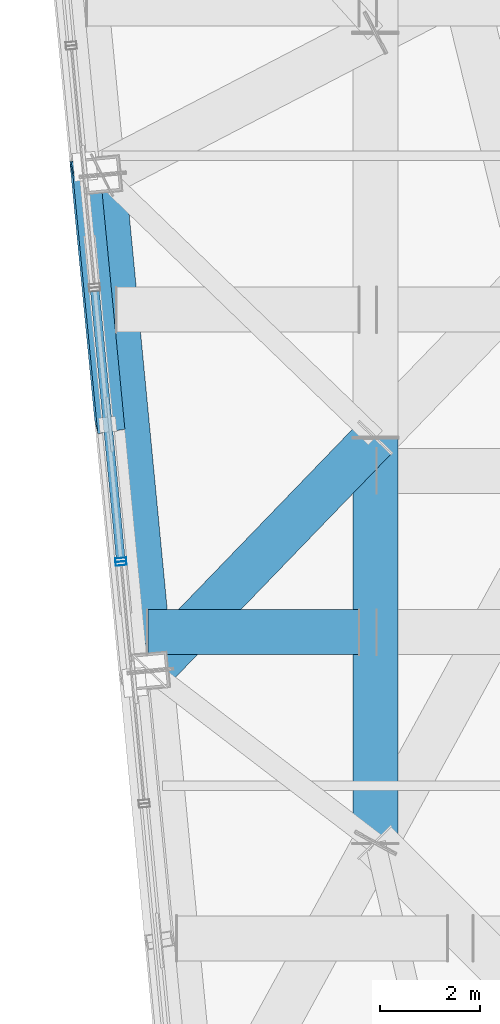
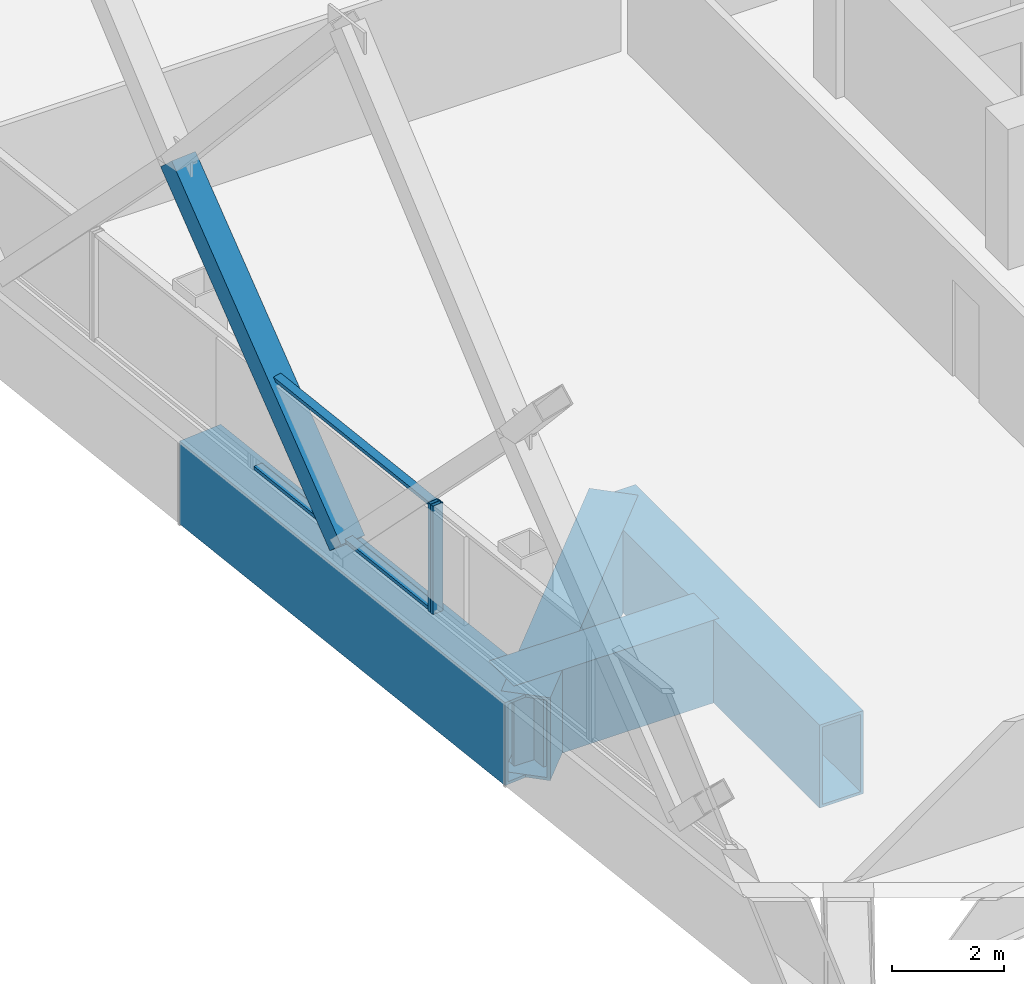
# One storey, part 9 of 37: 5 members, 4 beams, 2 elements without a shape of their own.
"""IFC4 building model written with IfcOpenShell, lengths in metres."""

from ifc_helpers import new_model, si_unit, direction, frame, origin, origin_2d, place, context, subcontext, project, spatial, hollow_rectangle, extrude, material, layer, layer_set, material_profile, profile_set, type_object, element, aggregate, save


model = new_model("IFC4")

# Units and contexts
model_context = context("Model", 3, precision=1e-05, world=origin(), true_north=direction((0.0, 1.0)))
body_context = subcontext(model_context, "Body", "Model", "MODEL_VIEW")
ifc_project = project(units=[si_unit("LENGTHUNIT", "METRE"), si_unit("AREAUNIT", "SQUARE_METRE"), si_unit("VOLUMEUNIT", "CUBIC_METRE"), si_unit("PLANEANGLEUNIT", "RADIAN"), si_unit("MASSUNIT", "GRAM", prefix="KILO")], contexts=[model_context])

# Site, building, storey
site_placement = place(None, origin())
site = spatial("IfcSite", under=ifc_project, at=site_placement, CompositionType="ELEMENT")
building_placement = place(site_placement, origin())
building = spatial("IfcBuilding", under=site, at=building_placement, Name="Qhalaya Broadcast Tower", CompositionType="ELEMENT")
storey_placement = place(building_placement, frame((0.0, 0.0, 156.14990234375)))
storey = spatial("IfcBuildingStorey", under=building, at=storey_placement, Name="L45", CompositionType="ELEMENT", Elevation=156.14990234375)

# Beams
ifc_material_1 = material(Name="Structural Steel ASTM A572 Grade 50", Category="steel")
ifc_material_profile_1 = material_profile(ifc_material_1, hollow_rectangle(XDim=0.89990234375, YDim=1.800048828125, WallThickness=0.06005859375, at=origin_2d()), Name="BOX 900x1800x60")
ifc_profile_set_1 = profile_set([ifc_material_profile_1], Name="Structural Steel ASTM A572 Grade 50")
beam_type = type_object("IfcBeamType", Name="Block Cantilever Transfer Box Girder TG1", PredefinedType="USERDEFINED", material=ifc_profile_set_1)
beam_1_placement = place(storey_placement, frame((-24.572509765625, 6.521240234375, -1.119873046875), z_axis=(0.095850563819, -0.99539573508, 0.0), x_axis=(0.99539573508, 0.095850563819, 0.0)))
element("IfcBeam", 1, at=beam_1_placement, inside=storey, type_object=beam_type, Name="L45 TG1 L45-SPR-14", ObjectType="GIRDER", PredefinedType="USERDEFINED", context=body_context, shape_type="SweptSolid", body=[
    extrude(hollow_rectangle(XDim=0.89990234375, YDim=1.800048828125, WallThickness=0.06005859375, at=origin_2d()), origin(), (0.0, 0.0, 1.0), 9.966796875),
])
beam_2_placement = place(storey_placement, frame((-19.1201171875, 1.260009765625, -1.119873046875), z_axis=(0.0, -1.0, 0.0), x_axis=(1.0, 0.0, 0.0)))
element("IfcBeam", 2, at=beam_2_placement, inside=storey, type_object=beam_type, Name="L45 TG1 L45-TGL-15", ObjectType="GIRDER", PredefinedType="USERDEFINED", context=body_context, shape_type="SweptSolid", body=[
    extrude(hollow_rectangle(XDim=0.89990234375, YDim=1.800048828125, WallThickness=0.06005859375, at=origin_2d()), origin(), (0.0, 0.0, 1.0), 8.10009765625),
])
beam_3_placement = place(storey_placement, frame((-19.1201171875, 1.260009765625, -1.119873046875), z_axis=(-0.694441097941, -0.719549554576, 0.0), x_axis=(0.719549554576, -0.694441097941, 0.0)))
element("IfcBeam", 3, at=beam_3_placement, inside=storey, type_object=beam_type, Name="L45 Cantilever Transfer Box Girder 15", ObjectType="GIRDER", PredefinedType="USERDEFINED", context=body_context, shape_type="SweptSolid", body=[
    extrude(hollow_rectangle(XDim=0.89990234375, YDim=1.800048828125, WallThickness=0.06005859375, at=origin_2d()), origin(), (0.0, 0.0, 1.0), 6.475830078125),
])
beam_4_placement = place(storey_placement, frame((-23.671875, -2.625, -1.119873046875), z_axis=(1.0, 0.0, 0.0), x_axis=(0.0, 1.0, 0.0)))
element("IfcBeam", 4, at=beam_4_placement, inside=storey, type_object=beam_type, Name="L45 TG1 L45-PGYW2-OV1", ObjectType="GIRDER", PredefinedType="USERDEFINED", context=body_context, shape_type="SweptSolid", body=[
    extrude(hollow_rectangle(XDim=0.89990234375, YDim=1.800048828125, WallThickness=0.06005859375, at=origin_2d()), origin(), (0.0, 0.0, 1.0), 4.2119140625),
])

# Member
ifc_material_profile_2 = material_profile(ifc_material_1, hollow_rectangle(XDim=0.39990234375, YDim=0.550048828125, WallThickness=0.02490234375, at=origin_2d()), Name="BOX 400x550x25")
ifc_profile_set_2 = profile_set([ifc_material_profile_2], Name="Structural Steel ASTM A572 Grade 50")
member_type_1 = type_object("IfcMemberType", Name="Exoskeleton Diamond Diagonal Mid-High EX3", PredefinedType="BRACE", material=ifc_profile_set_2)
member_1_placement = place(storey_placement, frame((-24.433349609375, 1.5283203125, 0.360107421875), z_axis=(-0.066504325889, 0.690631901239, 0.720142174594), x_axis=(0.164113379892, -0.704339295697, 0.690632286443)))
element("IfcMember", 5, at=member_1_placement, inside=storey, type_object=member_type_1, Name="B4 Exoskeleton Diamond Brace W2-D1", PredefinedType="BRACE", context=body_context, shape_type="SweptSolid", body=[
    extrude(hollow_rectangle(XDim=0.39990234375, YDim=0.550048828125, WallThickness=0.02490234375, at=origin_2d()), origin(), (0.0, 0.0, 1.0), 7.470703125),
])

# Curtain wall, member
ifc_material_2 = material(Name="Fired Architectural Terracotta", Category="masonry")
ifc_layer_1 = layer(ifc_material_2, 0.219970703125, Name="Fired Architectural Terracotta")
ifc_layer_set_1 = layer_set([ifc_layer_1], Name="Fired Architectural Terracotta")
curtain_wall_type_1 = type_object("IfcCurtainWallType", Name="Block-Cap Unitised Terracotta Spandrel Wall CW-07", PredefinedType="NOTDEFINED", material=ifc_layer_set_1)
curtain_wall_1_placement = place(storey_placement, origin())
curtain_wall_1 = element("IfcCurtainWall", 6, at=curtain_wall_1_placement, inside=storey, type_object=curtain_wall_type_1, Name="L45 Unitised Curtain Wall L45-CW-W3", PredefinedType="NOTDEFINED")
ifc_material_3 = material(Name="Anodised Aluminium 6063-T6", Category="aluminium")
ifc_material_profile_3 = material_profile(ifc_material_3, hollow_rectangle(XDim=0.074951171875, YDim=0.219970703125, WallThickness=0.00390625, at=origin_2d()), Name="ALU-MUL 75x220x4")
ifc_profile_set_3 = profile_set([ifc_material_profile_3], Name="Anodised Aluminium 6063-T6")
member_type_2 = type_object("IfcMemberType", Name="Unitised Curtain-Wall Mullion M01", PredefinedType="MULLION", material=ifc_profile_set_3)
member_2_placement = place(storey_placement, frame((-24.212890625, -1.1787109375, 0.47998046875), z_axis=(0.0, 0.0, 1.0), x_axis=(0.095858099514, -0.99539500941, 0.0)))
member_2 = element("IfcMember", 7, at=member_2_placement, type_object=member_type_2, Name="CW-07 mullion 2", PredefinedType="MULLION", context=body_context, shape_type="SweptSolid", body=[
    extrude(hollow_rectangle(XDim=0.074951171875, YDim=0.219970703125, WallThickness=0.00390625, at=origin_2d()), origin(), (0.0, 0.0, 1.0), 2.35009765625),
])

ifc_material_4 = material(Name="Solar-Control Low-E Triple Glazing", Category="glass")
ifc_layer_2 = layer(ifc_material_4, 0.219970703125, Name="Solar-Control Low-E Triple Glazing")
ifc_layer_set_2 = layer_set([ifc_layer_2], Name="Solar-Control Low-E Triple Glazing")
curtain_wall_type_2 = type_object("IfcCurtainWallType", Name="Even-Block 4-Storey Double-Module Curtain Wall CW-03", PredefinedType="NOTDEFINED", material=ifc_layer_set_2)
curtain_wall_2_placement = place(storey_placement, origin())
curtain_wall_2 = element("IfcCurtainWall", 8, at=curtain_wall_2_placement, inside=storey, type_object=curtain_wall_type_2, Name="L45 Unitised Curtain Wall L45-CW-W4", PredefinedType="NOTDEFINED")
member_3_placement = place(storey_placement, frame((-24.205810546875, -1.25341796875, 0.47998046875), z_axis=(0.0, 0.0, 1.0), x_axis=(0.095844898762, -0.995396280574, 0.0)))
member_3 = element("IfcMember", 9, at=member_3_placement, type_object=member_type_2, Name="CW-03 mullion 1", PredefinedType="MULLION", context=body_context, shape_type="SweptSolid", body=[
    extrude(hollow_rectangle(XDim=0.074951171875, YDim=0.219970703125, WallThickness=0.00390625, at=origin_2d()), origin(), (0.0, 0.0, 1.0), 2.35009765625),
])
aggregate(curtain_wall_2, [member_3])

# Member
ifc_material_profile_4 = material_profile(ifc_material_3, hollow_rectangle(XDim=0.074951171875, YDim=0.179931640625, WallThickness=0.00390625, at=origin_2d()), Name="ALU-TRN 75x180x4")
ifc_profile_set_4 = profile_set([ifc_material_profile_4], Name="Anodised Aluminium 6063-T6")
member_type_3 = type_object("IfcMemberType", Name="Unitised Curtain-Wall Transom T01", PredefinedType="USERDEFINED", material=ifc_profile_set_4)
member_4_placement = place(storey_placement, frame((-24.72998046875, 4.18994140625, 0.517578125), z_axis=(0.095860930142, -0.995394736812, 0.0), x_axis=(0.0, 0.0, 1.0)))
member_4 = element("IfcMember", 10, at=member_4_placement, type_object=member_type_3, Name="CW-07 transom 1.1", ObjectType="TRANSOM", PredefinedType="USERDEFINED", context=body_context, shape_type="SweptSolid", body=[
    extrude(hollow_rectangle(XDim=0.074951171875, YDim=0.179931640625, WallThickness=0.00390625, at=origin_2d()), origin(), (0.0, 0.0, 1.0), 5.35595703125),
])

member_5_placement = place(storey_placement, frame((-24.72998046875, 4.18994140625, 2.79248046875), z_axis=(0.095860930142, -0.995394736812, 0.0), x_axis=(0.0, 0.0, 1.0)))
member_5 = element("IfcMember", 11, at=member_5_placement, type_object=member_type_3, Name="CW-07 transom 1.2", ObjectType="TRANSOM", PredefinedType="USERDEFINED", context=body_context, shape_type="SweptSolid", body=[
    extrude(hollow_rectangle(XDim=0.074951171875, YDim=0.179931640625, WallThickness=0.00390625, at=origin_2d()), origin(), (0.0, 0.0, 1.0), 5.35595703125),
])

aggregate(curtain_wall_1, [member_2, member_4, member_5])

save(model, "model.ifc")
